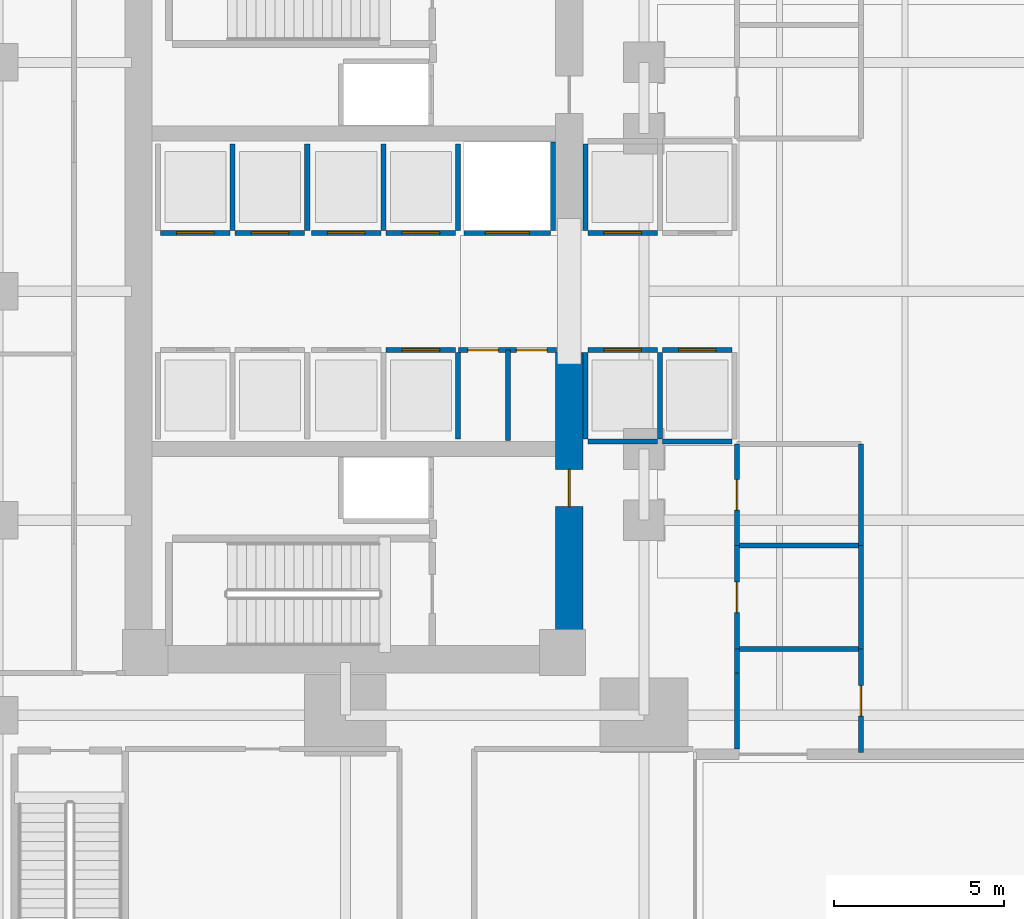
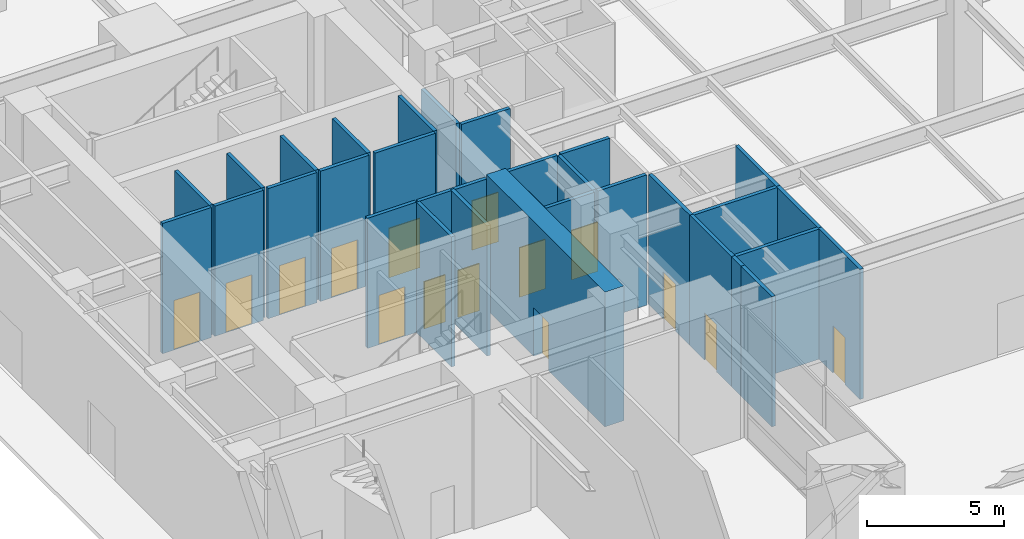
# One storey, part 10 of 17: 32 walls, 15 doors, 15 openings.
"""IFC4 building model written with IfcOpenShell, lengths in metres."""

from ifc_helpers import new_model, si_unit, direction, frame, frame_2d, origin, place, context, subcontext, project, spatial, rectangle, extrude, material, layer, layer_set, type_object, element, fill, save


model = new_model("IFC4")

# Units and contexts
model_context = context("Model", 3, precision=1e-05, world=origin(), true_north=direction((0.0, 1.0)))
body_context = subcontext(model_context, "Body", "Model", "MODEL_VIEW")
ifc_project = project(units=[si_unit("LENGTHUNIT", "METRE"), si_unit("AREAUNIT", "SQUARE_METRE"), si_unit("VOLUMEUNIT", "CUBIC_METRE"), si_unit("PLANEANGLEUNIT", "RADIAN"), si_unit("MASSUNIT", "GRAM", prefix="KILO")], contexts=[model_context])

# Site, building, storey
site_placement = place(None, origin())
site = spatial("IfcSite", under=ifc_project, at=site_placement, CompositionType="ELEMENT")
building_placement = place(site_placement, origin())
building = spatial("IfcBuilding", under=site, at=building_placement, Name="Kinhvarn Gate Tower", CompositionType="ELEMENT")
storey_placement = place(building_placement, origin())
storey = spatial("IfcBuildingStorey", under=building, at=storey_placement, Name="L00", CompositionType="ELEMENT", Elevation=0.0)

# Wall, opening, door
ifc_material_1 = material(Name="Concrete C70/85", Category="concrete")
ifc_layer_1 = layer(ifc_material_1, 0.800048828125)
ifc_layer_set_1 = layer_set([ifc_layer_1], Name="Concrete C70/85")
wall_type_1 = type_object("IfcWallType", Name="WL-CORE-800", PredefinedType="SHEAR", material=ifc_layer_set_1)
wall_1_placement = place(storey_placement, frame((17.60009765625, 14.800048828125, 0.0), z_axis=(0.0, 0.0, 1.0), x_axis=(0.0, 1.0, 0.0)))
wall_1 = element("IfcWall", 1, at=wall_1_placement, inside=storey, type_object=wall_type_1, Name="Core East-South Shear Pier L00 800 mm", PredefinedType="SHEAR", context=body_context, shape_type="SweptSolid", body=[
    extrude(rectangle(XDim=8.64990234375, YDim=0.800048828125, at=frame_2d((4.324951171875, 0.0))), origin(), (0.0, 0.0, 1.0), 6.0),
])
opening_1_placement = place(wall_1_placement, frame((4.10009765625, 0.0, 0.0)))
opening_1 = element("IfcOpeningElement", 2, at=opening_1_placement, cuts=wall_1, Name="Opening FD-02", PredefinedType="OPENING", context=body_context, shape_type="SweptSolid", body=[
    extrude(rectangle(XDim=1.10009765625, YDim=2.14990234375, at=frame_2d((0.550048828125, 1.074951171875))), frame((0.0, 0.41015625, 0.0), z_axis=(0.0, -1.0, 0.0), x_axis=(1.0, 0.0, 0.0)), (0.0, 0.0, 1.0), 0.820068359375),
])
ifc_material_2 = material(Name="Anodised aluminium AW-6063", Category="aluminium")
door_type_1 = type_object("IfcDoorType", Name="DR-FD-1100", OperationType="NOTDEFINED", PredefinedType="DOOR", material=ifc_material_2)
door_1_placement = place(opening_1_placement, origin())
door_1 = element("IfcDoor", 3, at=door_1_placement, inside=storey, type_object=door_type_1, Name="Firefighting Lobby Core Door (L00)", OperationType="SINGLE_SWING_RIGHT", OverallHeight=2.14990234375, OverallWidth=1.10009765625, PredefinedType="DOOR", context=body_context, shape_type="SweptSolid", body=[
    extrude(rectangle(XDim=1.10009765625, YDim=2.14990234375, at=frame_2d((0.550048828125, 1.074951171875))), frame((0.0, 0.02490234375, 0.0), z_axis=(0.0, -1.0, 0.0), x_axis=(1.0, 0.0, 0.0)), (0.0, 0.0, 1.0), 0.050048828125),
])
fill(opening_1, door_1)

# Walls
ifc_material_3 = material(Name="Gypsum acoustic partition board")
ifc_layer_2 = layer(ifc_material_3, 0.14990234375)
ifc_layer_set_2 = layer_set([ifc_layer_2], Name="Gypsum acoustic partition board")
wall_type_2 = type_object("IfcWallType", Name="WL-PLM-150", PredefinedType="PLUMBINGWALL", material=ifc_layer_set_2)
for number, where, z_axis, x_axis, name in (
    (4, (22.550048828125, 14.699951171875, 0.0), (0.0, 0.0, 1.0), (1.0, 0.0, 0.0), "Interior Partition PLW-150 (L00)"),
    (5, (22.550048828125, 17.75, 0.0), (0.0, 0.0, 1.0), (1.0, 0.0, 0.0), "Interior Partition PLW-150 (L00)"),
):
    element("IfcWall", number, at=place(storey_placement, frame(where, z_axis=z_axis, x_axis=x_axis)), inside=storey, type_object=wall_type_2, Name=name, PredefinedType="PLUMBINGWALL", context=body_context, shape_type="SweptSolid", body=[
        extrude(rectangle(XDim=3.64990234375, YDim=0.14990234375, at=frame_2d((1.824951171875, 0.0))), origin(), (0.0, 0.0, 1.0), 5.800048828125),
    ])

# Wall, opening, door
ifc_layer_3 = layer(ifc_material_3, 0.14990234375)
ifc_layer_set_3 = layer_set([ifc_layer_3], Name="Gypsum acoustic partition board")
wall_type_3 = type_object("IfcWallType", Name="WL-PLM-150F", PredefinedType="PLUMBINGWALL", material=ifc_layer_set_3)
wall_2_placement = place(storey_placement, frame((26.199951171875, 11.64990234375, 0.0), z_axis=(0.0, 0.0, 1.0), x_axis=(0.0, 1.0, 0.0)))
wall_2 = element("IfcWall", 6, at=wall_2_placement, inside=storey, type_object=wall_type_3, Name="Interior Partition PLW-150F (L00)", PredefinedType="PLUMBINGWALL", context=body_context, shape_type="SweptSolid", body=[
    extrude(rectangle(XDim=3.050048828125, YDim=0.14990234375, at=frame_2d((1.52490234375, 0.0))), origin(), (0.0, 0.0, 1.0), 5.800048828125),
])
opening_2_placement = place(wall_2_placement, frame((1.074951171875, 0.0, 0.0)))
opening_2 = element("IfcOpeningElement", 7, at=opening_2_placement, cuts=wall_2, Name="Opening FD-04", PredefinedType="OPENING", context=body_context, shape_type="SweptSolid", body=[
    extrude(rectangle(XDim=0.89990234375, YDim=2.10009765625, at=frame_2d((0.449951171875, 1.050048828125))), frame((0.0, 0.0849609375, 0.0), z_axis=(0.0, -1.0, 0.0), x_axis=(1.0, 0.0, 0.0)), (0.0, 0.0, 1.0), 0.169921875),
])
door_type_2 = type_object("IfcDoorType", Name="DR-FD-900", OperationType="NOTDEFINED", PredefinedType="DOOR", material=ifc_material_2)
door_2_placement = place(opening_2_placement, origin())
door_2 = element("IfcDoor", 8, at=door_2_placement, inside=storey, type_object=door_type_2, Name="Rated Riser & Service Closet Fire Door 900x2100 mm (L00)", OperationType="SINGLE_SWING_RIGHT", OverallHeight=2.10009765625, OverallWidth=0.89990234375, PredefinedType="DOOR", context=body_context, shape_type="SweptSolid", body=[
    extrude(rectangle(XDim=0.89990234375, YDim=2.10009765625, at=frame_2d((0.449951171875, 1.050048828125))), frame((0.0, 0.02490234375, 0.0), z_axis=(0.0, -1.0, 0.0), x_axis=(1.0, 0.0, 0.0)), (0.0, 0.0, 1.0), 0.050048828125),
])
fill(opening_2, door_2)

# Walls
wall_3_placement = place(storey_placement, frame((26.199951171875, 14.699951171875, 0.0), z_axis=(0.0, 0.0, 1.0), x_axis=(0.0, 1.0, 0.0)))
element("IfcWall", 9, at=wall_3_placement, inside=storey, type_object=wall_type_3, Name="Interior Partition PLW-150F (L00)", PredefinedType="PLUMBINGWALL", context=body_context, shape_type="SweptSolid", body=[
    extrude(rectangle(XDim=3.050048828125, YDim=0.14990234375, at=frame_2d((1.52490234375, 0.0))), origin(), (0.0, 0.0, 1.0), 5.800048828125),
])
wall_4_placement = place(storey_placement, frame((26.199951171875, 17.75, 0.0), z_axis=(0.0, 0.0, 1.0), x_axis=(0.0, 1.0, 0.0)))
element("IfcWall", 10, at=wall_4_placement, inside=storey, type_object=wall_type_3, Name="Interior Partition PLW-150F (L00)", PredefinedType="PLUMBINGWALL", context=body_context, shape_type="SweptSolid", body=[
    extrude(rectangle(XDim=3.0, YDim=0.14990234375, at=frame_2d((1.5, 0.0))), origin(), (0.0, 0.0, 1.0), 5.800048828125),
])
wall_5_placement = place(storey_placement, frame((22.550048828125, 14.0, 0.0), z_axis=(0.0, 0.0, 1.0), x_axis=(0.0, 1.0, 0.0)))
element("IfcWall", 11, at=wall_5_placement, inside=storey, type_object=wall_type_3, Name="Interior Partition PLW-150F (L00)", PredefinedType="PLUMBINGWALL", context=body_context, shape_type="SweptSolid", body=[
    extrude(rectangle(XDim=0.699951171875, YDim=0.14990234375, at=frame_2d((0.35009765625, 0.0))), origin(), (0.0, 0.0, 1.0), 5.800048828125),
])

# Wall, opening, door
wall_6_placement = place(storey_placement, frame((22.550048828125, 14.699951171875, 0.0), z_axis=(0.0, 0.0, 1.0), x_axis=(0.0, 1.0, 0.0)))
wall_6 = element("IfcWall", 12, at=wall_6_placement, inside=storey, type_object=wall_type_3, Name="Interior Partition PLW-150F (L00)", PredefinedType="PLUMBINGWALL", context=body_context, shape_type="SweptSolid", body=[
    extrude(rectangle(XDim=3.050048828125, YDim=0.14990234375, at=frame_2d((1.52490234375, 0.0))), origin(), (0.0, 0.0, 1.0), 5.800048828125),
])
opening_3_placement = place(wall_6_placement, frame((1.074951171875, 0.0, 0.0)))
opening_3 = element("IfcOpeningElement", 13, at=opening_3_placement, cuts=wall_6, Name="Opening FD-04", PredefinedType="OPENING", context=body_context, shape_type="SweptSolid", body=[
    extrude(rectangle(XDim=0.89990234375, YDim=2.10009765625, at=frame_2d((0.449951171875, 1.050048828125))), frame((0.0, 0.0849609375, 0.0), z_axis=(0.0, -1.0, 0.0), x_axis=(1.0, 0.0, 0.0)), (0.0, 0.0, 1.0), 0.169921875),
])
door_3_placement = place(opening_3_placement, origin())
door_3 = element("IfcDoor", 14, at=door_3_placement, inside=storey, type_object=door_type_2, Name="Rated Riser & Service Closet Fire Door 900x2100 mm (L00)", OperationType="SINGLE_SWING_LEFT", OverallHeight=2.10009765625, OverallWidth=0.89990234375, PredefinedType="DOOR", context=body_context, shape_type="SweptSolid", body=[
    extrude(rectangle(XDim=0.89990234375, YDim=2.10009765625, at=frame_2d((0.449951171875, 1.050048828125))), frame((0.0, 0.02490234375, 0.0), z_axis=(0.0, -1.0, 0.0), x_axis=(1.0, 0.0, 0.0)), (0.0, 0.0, 1.0), 0.050048828125),
])
fill(opening_3, door_3)

wall_7_placement = place(storey_placement, frame((22.550048828125, 17.75, 0.0), z_axis=(0.0, 0.0, 1.0), x_axis=(0.0, 1.0, 0.0)))
wall_7 = element("IfcWall", 15, at=wall_7_placement, inside=storey, type_object=wall_type_3, Name="Interior Partition PLW-150F (L00)", PredefinedType="PLUMBINGWALL", context=body_context, shape_type="SweptSolid", body=[
    extrude(rectangle(XDim=3.0, YDim=0.14990234375, at=frame_2d((1.5, 0.0))), origin(), (0.0, 0.0, 1.0), 5.800048828125),
])
opening_4_placement = place(wall_7_placement, frame((1.050048828125, 0.0, 0.0)))
opening_4 = element("IfcOpeningElement", 16, at=opening_4_placement, cuts=wall_7, Name="Opening FD-04", PredefinedType="OPENING", context=body_context, shape_type="SweptSolid", body=[
    extrude(rectangle(XDim=0.89990234375, YDim=2.10009765625, at=frame_2d((0.449951171875, 1.050048828125))), frame((0.0, 0.0849609375, 0.0), z_axis=(0.0, -1.0, 0.0), x_axis=(1.0, 0.0, 0.0)), (0.0, 0.0, 1.0), 0.169921875),
])
door_4_placement = place(opening_4_placement, origin())
door_4 = element("IfcDoor", 17, at=door_4_placement, inside=storey, type_object=door_type_2, Name="Rated Riser & Service Closet Fire Door 900x2100 mm (L00)", OperationType="SINGLE_SWING_RIGHT", OverallHeight=2.10009765625, OverallWidth=0.89990234375, PredefinedType="DOOR", context=body_context, shape_type="SweptSolid", body=[
    extrude(rectangle(XDim=0.89990234375, YDim=2.10009765625, at=frame_2d((0.449951171875, 1.050048828125))), frame((0.0, 0.02490234375, 0.0), z_axis=(0.0, -1.0, 0.0), x_axis=(1.0, 0.0, 0.0)), (0.0, 0.0, 1.0), 0.050048828125),
])
fill(opening_4, door_4)

# Walls
wall_8_placement = place(storey_placement, frame((22.550048828125, 11.75, 0.0), z_axis=(0.0, 0.0, 1.0), x_axis=(0.0, 1.0, 0.0)))
element("IfcWall", 18, at=wall_8_placement, inside=storey, type_object=wall_type_3, Name="Interior Partition PLW-150F (L00)", PredefinedType="PLUMBINGWALL", context=body_context, shape_type="SweptSolid", body=[
    extrude(rectangle(XDim=2.25, YDim=0.14990234375, at=frame_2d((1.125, 0.0))), origin(), (0.0, 0.0, 1.0), 5.800048828125),
])
ifc_layer_4 = layer(ifc_material_3, 0.14990234375)
ifc_layer_set_4 = layer_set([ifc_layer_4], Name="Gypsum acoustic partition board")
wall_type_4 = type_object("IfcWallType", Name="WL-PRT-150F", PredefinedType="PARTITIONING", material=ifc_layer_set_4)
wall_9_placement = place(storey_placement, frame((15.800048828125, 20.85009765625, 0.0), z_axis=(0.0, 0.0, 1.0), x_axis=(0.0, 1.0, 0.0)))
element("IfcWall", 19, at=wall_9_placement, inside=storey, type_object=wall_type_4, Name="Interior Partition PW-150F (L00)", PredefinedType="PARTITIONING", context=body_context, shape_type="SweptSolid", body=[
    extrude(rectangle(XDim=2.669921875, YDim=0.14990234375, at=frame_2d((1.3349609375, 0.0))), origin(), (0.0, 0.0, 1.0), 5.800048828125),
])

# Wall, openings, doors
wall_10_placement = place(storey_placement, frame((14.330078125, 23.52001953125, 0.0), z_axis=(0.0, 0.0, 1.0), x_axis=(1.0, 0.0, 0.0)))
wall_10 = element("IfcWall", 20, at=wall_10_placement, inside=storey, type_object=wall_type_4, Name="Interior Partition PW-150F (L00)", PredefinedType="PARTITIONING", context=body_context, shape_type="SweptSolid", body=[
    extrude(rectangle(XDim=2.889892578125, YDim=0.14990234375, at=frame_2d((1.44482421875, 0.0))), origin(), (0.0, 0.0, 1.0), 5.800048828125),
])
opening_5_placement = place(wall_10_placement, frame((0.280029296875, 0.0, 0.0)))
opening_5 = element("IfcOpeningElement", 21, at=opening_5_placement, cuts=wall_10, Name="Opening FD-04", PredefinedType="OPENING", context=body_context, shape_type="SweptSolid", body=[
    extrude(rectangle(XDim=0.89990234375, YDim=2.10009765625, at=frame_2d((0.449951171875, 1.050048828125))), frame((0.0, 0.0849609375, 0.0), z_axis=(0.0, -1.0, 0.0), x_axis=(1.0, 0.0, 0.0)), (0.0, 0.0, 1.0), 0.169921875),
])
opening_6_placement = place(wall_10_placement, frame((1.7099609375, 0.0, 0.0)))
opening_6 = element("IfcOpeningElement", 22, at=opening_6_placement, cuts=wall_10, Name="Opening FD-04", PredefinedType="OPENING", context=body_context, shape_type="SweptSolid", body=[
    extrude(rectangle(XDim=0.89990234375, YDim=2.10009765625, at=frame_2d((0.449951171875, 1.050048828125))), frame((0.0, 0.0849609375, 0.0), z_axis=(0.0, -1.0, 0.0), x_axis=(1.0, 0.0, 0.0)), (0.0, 0.0, 1.0), 0.169921875),
])
door_5_placement = place(opening_5_placement, origin())
door_5 = element("IfcDoor", 23, at=door_5_placement, inside=storey, type_object=door_type_2, Name="Rated Riser & Service Closet Fire Door 900x2100 mm (L00)", OperationType="SINGLE_SWING_LEFT", OverallHeight=2.10009765625, OverallWidth=0.89990234375, PredefinedType="DOOR", context=body_context, shape_type="SweptSolid", body=[
    extrude(rectangle(XDim=0.89990234375, YDim=2.10009765625, at=frame_2d((0.449951171875, 1.050048828125))), frame((0.0, 0.02490234375, 0.0), z_axis=(0.0, -1.0, 0.0), x_axis=(1.0, 0.0, 0.0)), (0.0, 0.0, 1.0), 0.050048828125),
])
fill(opening_5, door_5)
door_6_placement = place(opening_6_placement, origin())
door_6 = element("IfcDoor", 24, at=door_6_placement, inside=storey, type_object=door_type_2, Name="Rated Riser & Service Closet Fire Door 900x2100 mm (L00)", OperationType="SINGLE_SWING_RIGHT", OverallHeight=2.10009765625, OverallWidth=0.89990234375, PredefinedType="DOOR", context=body_context, shape_type="SweptSolid", body=[
    extrude(rectangle(XDim=0.89990234375, YDim=2.10009765625, at=frame_2d((0.449951171875, 1.050048828125))), frame((0.0, 0.02490234375, 0.0), z_axis=(0.0, -1.0, 0.0), x_axis=(1.0, 0.0, 0.0)), (0.0, 0.0, 1.0), 0.050048828125),
])
fill(opening_6, door_6)

# Wall
ifc_layer_5 = layer(ifc_material_3, 0.14990234375)
ifc_layer_set_5 = layer_set([ifc_layer_5], Name="Gypsum acoustic partition board")
wall_type_5 = type_object("IfcWallType", Name="WL-SHF-150", PredefinedType="PARTITIONING", material=ifc_layer_set_5)
wall_11_placement = place(storey_placement, frame((18.14990234375, 20.824951171875, 0.0), z_axis=(0.0, 0.0, 1.0), x_axis=(1.0, 0.0, 0.0)))
element("IfcWall", 25, at=wall_11_placement, inside=storey, type_object=wall_type_5, Name="Elevator PL-01 Hoistway Wall S (L00)", PredefinedType="PARTITIONING", context=body_context, shape_type="SweptSolid", body=[
    extrude(rectangle(XDim=2.050048828125, YDim=0.14990234375, at=frame_2d((1.02490234375, 0.0))), origin(), (0.0, 0.0, 1.0), 5.800048828125),
])

# Wall, opening, door
wall_12_placement = place(storey_placement, frame((18.14990234375, 23.52490234375, 0.0), z_axis=(0.0, 0.0, 1.0), x_axis=(1.0, 0.0, 0.0)))
wall_12 = element("IfcWall", 26, at=wall_12_placement, inside=storey, type_object=wall_type_5, Name="Elevator PL-01 Landing Wall (L00)", PredefinedType="PARTITIONING", context=body_context, shape_type="SweptSolid", body=[
    extrude(rectangle(XDim=2.050048828125, YDim=0.14990234375, at=frame_2d((1.02490234375, 0.0))), origin(), (0.0, 0.0, 1.0), 5.800048828125),
])
opening_7_placement = place(wall_12_placement, frame((0.47509765625, 0.0, 0.0)))
opening_7 = element("IfcOpeningElement", 27, at=opening_7_placement, cuts=wall_12, Name="Opening LD-01", PredefinedType="OPENING", context=body_context, shape_type="SweptSolid", body=[
    extrude(rectangle(XDim=1.10009765625, YDim=2.199951171875, at=frame_2d((0.550048828125, 1.10009765625))), frame((0.0, 0.0849609375, 0.0), z_axis=(0.0, -1.0, 0.0), x_axis=(1.0, 0.0, 0.0)), (0.0, 0.0, 1.0), 0.169921875),
])
door_type_3 = type_object("IfcDoorType", Name="DR-LND-PAS", OperationType="NOTDEFINED", PredefinedType="DOOR", material=ifc_material_2)
door_7_placement = place(opening_7_placement, origin())
door_7 = element("IfcDoor", 28, at=door_7_placement, inside=storey, type_object=door_type_3, Name="Elevator PL-01 Sliding Landing Door (L00)", OperationType="DOUBLE_DOOR_SLIDING", OverallHeight=2.199951171875, OverallWidth=1.10009765625, PredefinedType="DOOR", context=body_context, shape_type="SweptSolid", body=[
    extrude(rectangle(XDim=1.10009765625, YDim=2.199951171875, at=frame_2d((0.550048828125, 1.10009765625))), frame((0.0, 0.02490234375, 0.0), z_axis=(0.0, -1.0, 0.0), x_axis=(1.0, 0.0, 0.0)), (0.0, 0.0, 1.0), 0.050048828125),
])
fill(opening_7, door_7)

# Walls
for number, where, z_axis, x_axis, name in (
    (29, (18.074951171875, 20.89990234375, 0.0), (0.0, 0.0, 1.0), (0.0, 1.0, 0.0), "Elevator PL-01 Hoistway Wall W (L00)"),
    (30, (20.27490234375, 20.89990234375, 0.0), (0.0, 0.0, 1.0), (0.0, 1.0, 0.0), "Elevator PL-01 Hoistway Wall E (L00)"),
):
    element("IfcWall", number, at=place(storey_placement, frame(where, z_axis=z_axis, x_axis=x_axis)), inside=storey, type_object=wall_type_5, Name=name, PredefinedType="PARTITIONING", context=body_context, shape_type="SweptSolid", body=[
        extrude(rectangle(XDim=2.550048828125, YDim=0.14990234375, at=frame_2d((1.27490234375, 0.0))), origin(), (0.0, 0.0, 1.0), 5.800048828125),
    ])
wall_13_placement = place(storey_placement, frame((20.35009765625, 20.824951171875, 0.0), z_axis=(0.0, 0.0, 1.0), x_axis=(1.0, 0.0, 0.0)))
element("IfcWall", 31, at=wall_13_placement, inside=storey, type_object=wall_type_5, Name="Elevator PL-02 Hoistway Wall S (L00)", PredefinedType="PARTITIONING", context=body_context, shape_type="SweptSolid", body=[
    extrude(rectangle(XDim=2.0498046875, YDim=0.14990234375, at=frame_2d((1.02490234375, 0.0))), origin(), (0.0, 0.0, 1.0), 5.800048828125),
])

# Wall, opening, door
wall_14_placement = place(storey_placement, frame((20.35009765625, 23.52490234375, 0.0), z_axis=(0.0, 0.0, 1.0), x_axis=(1.0, 0.0, 0.0)))
wall_14 = element("IfcWall", 32, at=wall_14_placement, inside=storey, type_object=wall_type_5, Name="Elevator PL-02 Landing Wall (L00)", PredefinedType="PARTITIONING", context=body_context, shape_type="SweptSolid", body=[
    extrude(rectangle(XDim=2.0498046875, YDim=0.14990234375, at=frame_2d((1.02490234375, 0.0))), origin(), (0.0, 0.0, 1.0), 5.800048828125),
])
opening_8_placement = place(wall_14_placement, frame((0.47509765625, 0.0, 0.0)))
opening_8 = element("IfcOpeningElement", 33, at=opening_8_placement, cuts=wall_14, Name="Opening LD-01", PredefinedType="OPENING", context=body_context, shape_type="SweptSolid", body=[
    extrude(rectangle(XDim=1.10009765625, YDim=2.199951171875, at=frame_2d((0.550048828125, 1.10009765625))), frame((0.0, 0.0849609375, 0.0), z_axis=(0.0, -1.0, 0.0), x_axis=(1.0, 0.0, 0.0)), (0.0, 0.0, 1.0), 0.169921875),
])
door_8_placement = place(opening_8_placement, origin())
door_8 = element("IfcDoor", 34, at=door_8_placement, inside=storey, type_object=door_type_3, Name="Elevator PL-02 Sliding Landing Door (L00)", OperationType="DOUBLE_DOOR_SLIDING", OverallHeight=2.199951171875, OverallWidth=1.10009765625, PredefinedType="DOOR", context=body_context, shape_type="SweptSolid", body=[
    extrude(rectangle(XDim=1.10009765625, YDim=2.199951171875, at=frame_2d((0.550048828125, 1.10009765625))), frame((0.0, 0.02490234375, 0.0), z_axis=(0.0, -1.0, 0.0), x_axis=(1.0, 0.0, 0.0)), (0.0, 0.0, 1.0), 0.050048828125),
])
fill(opening_8, door_8)

wall_15_placement = place(storey_placement, frame((18.14990234375, 26.97509765625, 0.0), z_axis=(0.0, 0.0, 1.0), x_axis=(1.0, 0.0, 0.0)))
wall_15 = element("IfcWall", 35, at=wall_15_placement, inside=storey, type_object=wall_type_5, Name="Elevator PL-03 Landing Wall (L00)", PredefinedType="PARTITIONING", context=body_context, shape_type="SweptSolid", body=[
    extrude(rectangle(XDim=2.050048828125, YDim=0.14990234375, at=frame_2d((1.02490234375, 0.0))), origin(), (0.0, 0.0, 1.0), 5.800048828125),
])
opening_9_placement = place(wall_15_placement, frame((0.47509765625, 0.0, 0.0)))
opening_9 = element("IfcOpeningElement", 36, at=opening_9_placement, cuts=wall_15, Name="Opening LD-01", PredefinedType="OPENING", context=body_context, shape_type="SweptSolid", body=[
    extrude(rectangle(XDim=1.10009765625, YDim=2.199951171875, at=frame_2d((0.550048828125, 1.10009765625))), frame((0.0, 0.0849609375, 0.0), z_axis=(0.0, -1.0, 0.0), x_axis=(1.0, 0.0, 0.0)), (0.0, 0.0, 1.0), 0.169921875),
])
door_9_placement = place(opening_9_placement, origin())
door_9 = element("IfcDoor", 37, at=door_9_placement, inside=storey, type_object=door_type_3, Name="Elevator PL-03 Sliding Landing Door (L00)", OperationType="DOUBLE_DOOR_SLIDING", OverallHeight=2.199951171875, OverallWidth=1.10009765625, PredefinedType="DOOR", context=body_context, shape_type="SweptSolid", body=[
    extrude(rectangle(XDim=1.10009765625, YDim=2.199951171875, at=frame_2d((0.550048828125, 1.10009765625))), frame((0.0, 0.02490234375, 0.0), z_axis=(0.0, -1.0, 0.0), x_axis=(1.0, 0.0, 0.0)), (0.0, 0.0, 1.0), 0.050048828125),
])
fill(opening_9, door_9)

# Wall
wall_16_placement = place(storey_placement, frame((18.074951171875, 27.050048828125, 0.0), z_axis=(0.0, 0.0, 1.0), x_axis=(0.0, 1.0, 0.0)))
element("IfcWall", 38, at=wall_16_placement, inside=storey, type_object=wall_type_5, Name="Elevator PL-03 Hoistway Wall W (L00)", PredefinedType="PARTITIONING", context=body_context, shape_type="SweptSolid", body=[
    extrude(rectangle(XDim=2.550048828125, YDim=0.14990234375, at=frame_2d((1.27490234375, 0.0))), origin(), (0.0, 0.0, 1.0), 5.800048828125),
])

# Wall, opening, door
wall_17_placement = place(storey_placement, frame((5.550048828125, 26.97509765625, 0.0), z_axis=(0.0, 0.0, 1.0), x_axis=(1.0, 0.0, 0.0)))
wall_17 = element("IfcWall", 39, at=wall_17_placement, inside=storey, type_object=wall_type_5, Name="Elevator PM-07 Landing Wall (L00)", PredefinedType="PARTITIONING", context=body_context, shape_type="SweptSolid", body=[
    extrude(rectangle(XDim=2.050048828125, YDim=0.14990234375, at=frame_2d((1.02490234375, 0.0))), origin(), (0.0, 0.0, 1.0), 5.800048828125),
])
opening_10_placement = place(wall_17_placement, frame((0.47509765625, 0.0, 0.0)))
opening_10 = element("IfcOpeningElement", 40, at=opening_10_placement, cuts=wall_17, Name="Opening LD-01", PredefinedType="OPENING", context=body_context, shape_type="SweptSolid", body=[
    extrude(rectangle(XDim=1.10009765625, YDim=2.199951171875, at=frame_2d((0.550048828125, 1.10009765625))), frame((0.0, 0.0849609375, 0.0), z_axis=(0.0, -1.0, 0.0), x_axis=(1.0, 0.0, 0.0)), (0.0, 0.0, 1.0), 0.169921875),
])
door_10_placement = place(opening_10_placement, origin())
door_10 = element("IfcDoor", 41, at=door_10_placement, inside=storey, type_object=door_type_3, Name="Elevator PM-07 Sliding Landing Door (L00)", OperationType="DOUBLE_DOOR_SLIDING", OverallHeight=2.199951171875, OverallWidth=1.10009765625, PredefinedType="DOOR", context=body_context, shape_type="SweptSolid", body=[
    extrude(rectangle(XDim=1.10009765625, YDim=2.199951171875, at=frame_2d((0.550048828125, 1.10009765625))), frame((0.0, 0.02490234375, 0.0), z_axis=(0.0, -1.0, 0.0), x_axis=(1.0, 0.0, 0.0)), (0.0, 0.0, 1.0), 0.050048828125),
])
fill(opening_10, door_10)

# Wall
wall_18_placement = place(storey_placement, frame((7.675048828125, 27.050048828125, 0.0), z_axis=(0.0, 0.0, 1.0), x_axis=(0.0, 1.0, 0.0)))
element("IfcWall", 42, at=wall_18_placement, inside=storey, type_object=wall_type_5, Name="Elevator PM-07 Hoistway Wall E (L00)", PredefinedType="PARTITIONING", context=body_context, shape_type="SweptSolid", body=[
    extrude(rectangle(XDim=2.550048828125, YDim=0.14990234375, at=frame_2d((1.27490234375, 0.0))), origin(), (0.0, 0.0, 1.0), 5.800048828125),
])

# Wall, opening, door
wall_19_placement = place(storey_placement, frame((7.75, 26.97509765625, 0.0), z_axis=(0.0, 0.0, 1.0), x_axis=(1.0, 0.0, 0.0)))
wall_19 = element("IfcWall", 43, at=wall_19_placement, inside=storey, type_object=wall_type_5, Name="Elevator PM-08 Landing Wall (L00)", PredefinedType="PARTITIONING", context=body_context, shape_type="SweptSolid", body=[
    extrude(rectangle(XDim=2.050048828125, YDim=0.14990234375, at=frame_2d((1.02490234375, 0.0))), origin(), (0.0, 0.0, 1.0), 5.800048828125),
])
opening_11_placement = place(wall_19_placement, frame((0.47509765625, 0.0, 0.0)))
opening_11 = element("IfcOpeningElement", 44, at=opening_11_placement, cuts=wall_19, Name="Opening LD-01", PredefinedType="OPENING", context=body_context, shape_type="SweptSolid", body=[
    extrude(rectangle(XDim=1.10009765625, YDim=2.199951171875, at=frame_2d((0.550048828125, 1.10009765625))), frame((0.0, 0.0849609375, 0.0), z_axis=(0.0, -1.0, 0.0), x_axis=(1.0, 0.0, 0.0)), (0.0, 0.0, 1.0), 0.169921875),
])
door_11_placement = place(opening_11_placement, origin())
door_11 = element("IfcDoor", 45, at=door_11_placement, inside=storey, type_object=door_type_3, Name="Elevator PM-08 Sliding Landing Door (L00)", OperationType="DOUBLE_DOOR_SLIDING", OverallHeight=2.199951171875, OverallWidth=1.10009765625, PredefinedType="DOOR", context=body_context, shape_type="SweptSolid", body=[
    extrude(rectangle(XDim=1.10009765625, YDim=2.199951171875, at=frame_2d((0.550048828125, 1.10009765625))), frame((0.0, 0.02490234375, 0.0), z_axis=(0.0, -1.0, 0.0), x_axis=(1.0, 0.0, 0.0)), (0.0, 0.0, 1.0), 0.050048828125),
])
fill(opening_11, door_11)

# Wall
wall_20_placement = place(storey_placement, frame((9.875, 27.050048828125, 0.0), z_axis=(0.0, 0.0, 1.0), x_axis=(0.0, 1.0, 0.0)))
element("IfcWall", 46, at=wall_20_placement, inside=storey, type_object=wall_type_5, Name="Elevator PM-08 Hoistway Wall E (L00)", PredefinedType="PARTITIONING", context=body_context, shape_type="SweptSolid", body=[
    extrude(rectangle(XDim=2.550048828125, YDim=0.14990234375, at=frame_2d((1.27490234375, 0.0))), origin(), (0.0, 0.0, 1.0), 5.800048828125),
])

# Wall, opening, door
wall_21_placement = place(storey_placement, frame((12.199951171875, 23.52490234375, 0.0), z_axis=(0.0, 0.0, 1.0), x_axis=(1.0, 0.0, 0.0)))
wall_21 = element("IfcWall", 47, at=wall_21_placement, inside=storey, type_object=wall_type_5, Name="Elevator PH-10 Landing Wall (L00)", PredefinedType="PARTITIONING", context=body_context, shape_type="SweptSolid", body=[
    extrude(rectangle(XDim=2.050048828125, YDim=0.14990234375, at=frame_2d((1.02490234375, 0.0))), origin(), (0.0, 0.0, 1.0), 5.800048828125),
])
opening_12_placement = place(wall_21_placement, frame((0.47509765625, 0.0, 0.0)))
opening_12 = element("IfcOpeningElement", 48, at=opening_12_placement, cuts=wall_21, Name="Opening LD-01", PredefinedType="OPENING", context=body_context, shape_type="SweptSolid", body=[
    extrude(rectangle(XDim=1.10009765625, YDim=2.199951171875, at=frame_2d((0.550048828125, 1.10009765625))), frame((0.0, 0.0849609375, 0.0), z_axis=(0.0, -1.0, 0.0), x_axis=(1.0, 0.0, 0.0)), (0.0, 0.0, 1.0), 0.169921875),
])
door_12_placement = place(opening_12_placement, origin())
door_12 = element("IfcDoor", 49, at=door_12_placement, inside=storey, type_object=door_type_3, Name="Elevator PH-10 Sliding Landing Door (L00)", OperationType="DOUBLE_DOOR_SLIDING", OverallHeight=2.199951171875, OverallWidth=1.10009765625, PredefinedType="DOOR", context=body_context, shape_type="SweptSolid", body=[
    extrude(rectangle(XDim=1.10009765625, YDim=2.199951171875, at=frame_2d((0.550048828125, 1.10009765625))), frame((0.0, 0.02490234375, 0.0), z_axis=(0.0, -1.0, 0.0), x_axis=(1.0, 0.0, 0.0)), (0.0, 0.0, 1.0), 0.050048828125),
])
fill(opening_12, door_12)

# Wall
wall_22_placement = place(storey_placement, frame((14.324951171875, 20.89990234375, 0.0), z_axis=(0.0, 0.0, 1.0), x_axis=(0.0, 1.0, 0.0)))
element("IfcWall", 50, at=wall_22_placement, inside=storey, type_object=wall_type_5, Name="Elevator PH-10 Hoistway Wall E (L00)", PredefinedType="PARTITIONING", context=body_context, shape_type="SweptSolid", body=[
    extrude(rectangle(XDim=2.550048828125, YDim=0.14990234375, at=frame_2d((1.27490234375, 0.0))), origin(), (0.0, 0.0, 1.0), 5.800048828125),
])

# Wall, opening, door
wall_23_placement = place(storey_placement, frame((10.0, 26.97509765625, 0.0), z_axis=(0.0, 0.0, 1.0), x_axis=(1.0, 0.0, 0.0)))
wall_23 = element("IfcWall", 51, at=wall_23_placement, inside=storey, type_object=wall_type_5, Name="Elevator PH-11 Landing Wall (L00)", PredefinedType="PARTITIONING", context=body_context, shape_type="SweptSolid", body=[
    extrude(rectangle(XDim=2.050048828125, YDim=0.14990234375, at=frame_2d((1.02490234375, 0.0))), origin(), (0.0, 0.0, 1.0), 5.800048828125),
])
opening_13_placement = place(wall_23_placement, frame((0.47509765625, 0.0, 0.0)))
opening_13 = element("IfcOpeningElement", 52, at=opening_13_placement, cuts=wall_23, Name="Opening LD-01", PredefinedType="OPENING", context=body_context, shape_type="SweptSolid", body=[
    extrude(rectangle(XDim=1.10009765625, YDim=2.199951171875, at=frame_2d((0.550048828125, 1.10009765625))), frame((0.0, 0.0849609375, 0.0), z_axis=(0.0, -1.0, 0.0), x_axis=(1.0, 0.0, 0.0)), (0.0, 0.0, 1.0), 0.169921875),
])
door_13_placement = place(opening_13_placement, origin())
door_13 = element("IfcDoor", 53, at=door_13_placement, inside=storey, type_object=door_type_3, Name="Elevator PH-11 Sliding Landing Door (L00)", OperationType="DOUBLE_DOOR_SLIDING", OverallHeight=2.199951171875, OverallWidth=1.10009765625, PredefinedType="DOOR", context=body_context, shape_type="SweptSolid", body=[
    extrude(rectangle(XDim=1.10009765625, YDim=2.199951171875, at=frame_2d((0.550048828125, 1.10009765625))), frame((0.0, 0.02490234375, 0.0), z_axis=(0.0, -1.0, 0.0), x_axis=(1.0, 0.0, 0.0)), (0.0, 0.0, 1.0), 0.050048828125),
])
fill(opening_13, door_13)

# Wall
wall_24_placement = place(storey_placement, frame((12.125, 27.050048828125, 0.0), z_axis=(0.0, 0.0, 1.0), x_axis=(0.0, 1.0, 0.0)))
element("IfcWall", 54, at=wall_24_placement, inside=storey, type_object=wall_type_5, Name="Elevator PH-11 Hoistway Wall E (L00)", PredefinedType="PARTITIONING", context=body_context, shape_type="SweptSolid", body=[
    extrude(rectangle(XDim=2.550048828125, YDim=0.14990234375, at=frame_2d((1.27490234375, 0.0))), origin(), (0.0, 0.0, 1.0), 5.800048828125),
])

# Wall, opening, door
wall_25_placement = place(storey_placement, frame((12.199951171875, 26.97509765625, 0.0), z_axis=(0.0, 0.0, 1.0), x_axis=(1.0, 0.0, 0.0)))
wall_25 = element("IfcWall", 55, at=wall_25_placement, inside=storey, type_object=wall_type_5, Name="Elevator PH-12 Landing Wall (L00)", PredefinedType="PARTITIONING", context=body_context, shape_type="SweptSolid", body=[
    extrude(rectangle(XDim=2.050048828125, YDim=0.14990234375, at=frame_2d((1.02490234375, 0.0))), origin(), (0.0, 0.0, 1.0), 5.800048828125),
])
opening_14_placement = place(wall_25_placement, frame((0.47509765625, 0.0, 0.0)))
opening_14 = element("IfcOpeningElement", 56, at=opening_14_placement, cuts=wall_25, Name="Opening LD-01", PredefinedType="OPENING", context=body_context, shape_type="SweptSolid", body=[
    extrude(rectangle(XDim=1.10009765625, YDim=2.199951171875, at=frame_2d((0.550048828125, 1.10009765625))), frame((0.0, 0.0849609375, 0.0), z_axis=(0.0, -1.0, 0.0), x_axis=(1.0, 0.0, 0.0)), (0.0, 0.0, 1.0), 0.169921875),
])
door_14_placement = place(opening_14_placement, origin())
door_14 = element("IfcDoor", 57, at=door_14_placement, inside=storey, type_object=door_type_3, Name="Elevator PH-12 Sliding Landing Door (L00)", OperationType="DOUBLE_DOOR_SLIDING", OverallHeight=2.199951171875, OverallWidth=1.10009765625, PredefinedType="DOOR", context=body_context, shape_type="SweptSolid", body=[
    extrude(rectangle(XDim=1.10009765625, YDim=2.199951171875, at=frame_2d((0.550048828125, 1.10009765625))), frame((0.0, 0.02490234375, 0.0), z_axis=(0.0, -1.0, 0.0), x_axis=(1.0, 0.0, 0.0)), (0.0, 0.0, 1.0), 0.050048828125),
])
fill(opening_14, door_14)

# Wall
wall_26_placement = place(storey_placement, frame((14.324951171875, 27.050048828125, 0.0), z_axis=(0.0, 0.0, 1.0), x_axis=(0.0, 1.0, 0.0)))
element("IfcWall", 58, at=wall_26_placement, inside=storey, type_object=wall_type_5, Name="Elevator PH-12 Hoistway Wall E (L00)", PredefinedType="PARTITIONING", context=body_context, shape_type="SweptSolid", body=[
    extrude(rectangle(XDim=2.550048828125, YDim=0.14990234375, at=frame_2d((1.27490234375, 0.0))), origin(), (0.0, 0.0, 1.0), 5.800048828125),
])

# Wall, opening, door
wall_27_placement = place(storey_placement, frame((14.5, 26.97509765625, 0.0), z_axis=(0.0, 0.0, 1.0), x_axis=(1.0, 0.0, 0.0)))
wall_27 = element("IfcWall", 59, at=wall_27_placement, inside=storey, type_object=wall_type_5, Name="Elevator SV-01 Landing Wall (L00)", PredefinedType="PARTITIONING", context=body_context, shape_type="SweptSolid", body=[
    extrude(rectangle(XDim=2.550048828125, YDim=0.14990234375, at=frame_2d((1.27490234375, 0.0))), origin(), (0.0, 0.0, 1.0), 5.800048828125),
])
opening_15_placement = place(wall_27_placement, frame((0.625, 0.0, 0.0)))
opening_15 = element("IfcOpeningElement", 60, at=opening_15_placement, cuts=wall_27, Name="Opening LD-02", PredefinedType="OPENING", context=body_context, shape_type="SweptSolid", body=[
    extrude(rectangle(XDim=1.300048828125, YDim=2.199951171875, at=frame_2d((0.64990234375, 1.10009765625))), frame((0.0, 0.0849609375, 0.0), z_axis=(0.0, -1.0, 0.0), x_axis=(1.0, 0.0, 0.0)), (0.0, 0.0, 1.0), 0.169921875),
])
door_type_4 = type_object("IfcDoorType", Name="DR-LND-SRV", OperationType="NOTDEFINED", PredefinedType="DOOR", material=ifc_material_2)
door_15_placement = place(opening_15_placement, origin())
door_15 = element("IfcDoor", 61, at=door_15_placement, inside=storey, type_object=door_type_4, Name="Elevator SV-01 Sliding Landing Door (L00)", OperationType="DOUBLE_DOOR_SLIDING", OverallHeight=2.199951171875, OverallWidth=1.300048828125, PredefinedType="DOOR", context=body_context, shape_type="SweptSolid", body=[
    extrude(rectangle(XDim=1.300048828125, YDim=2.199951171875, at=frame_2d((0.64990234375, 1.10009765625))), frame((0.0, 0.02490234375, 0.0), z_axis=(0.0, -1.0, 0.0), x_axis=(1.0, 0.0, 0.0)), (0.0, 0.0, 1.0), 0.050048828125),
])
fill(opening_15, door_15)

# Wall
wall_28_placement = place(storey_placement, frame((17.125, 27.050048828125, 0.0), z_axis=(0.0, 0.0, 1.0), x_axis=(0.0, 1.0, 0.0)))
element("IfcWall", 62, at=wall_28_placement, inside=storey, type_object=wall_type_5, Name="Elevator SV-01 Hoistway Wall E (L00)", PredefinedType="PARTITIONING", context=body_context, shape_type="SweptSolid", body=[
    extrude(rectangle(XDim=2.599853515625, YDim=0.14990234375, at=frame_2d((1.2998046875, 0.0))), origin(), (0.0, 0.0, 1.0), 5.800048828125),
])

save(model, "model.ifc")
